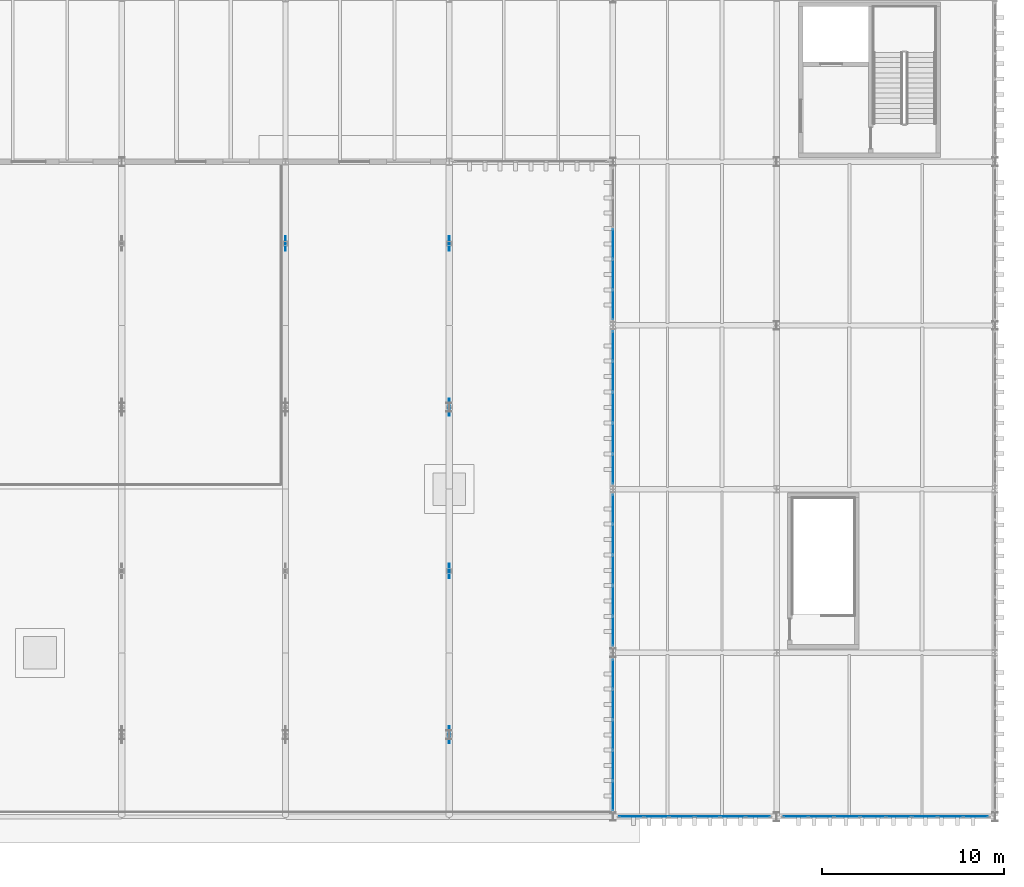
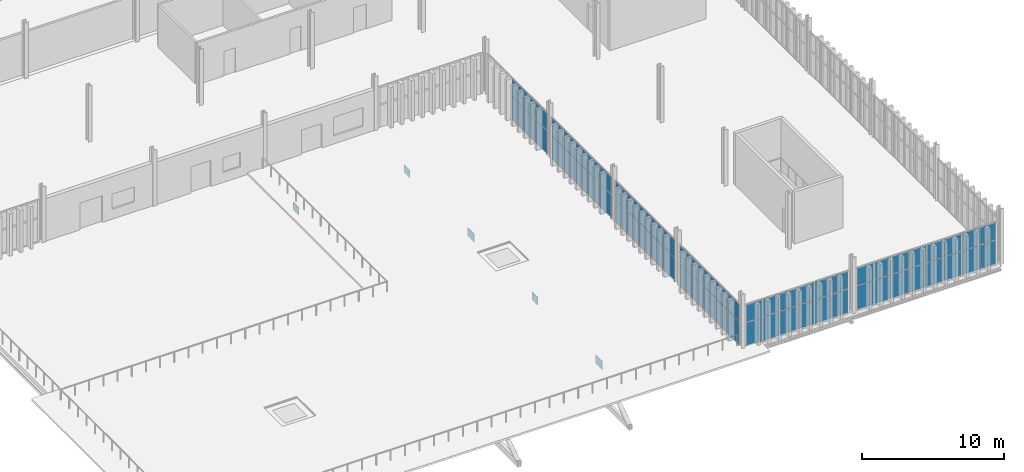
# One storey, part 165 of 196: 69 plates, 6 elements without a shape of their own.
"""IFC4 building model written with IfcOpenShell, lengths in metres."""

import ifcopenshell
import ifcopenshell.guid

model = None  # the IFC model being written
_history = None  # IfcOwnerHistory: only IFC2X3 demands one
_inside = {}  # id of a spatial element -> (the spatial element, [elements in it])
_under = {}  # id of a project, library or spatial element -> (it, [spatial elements below it])
_declared = {}  # id of a project -> (the project, [libraries it declares])
_typed = {}  # id of a type object -> (the type object, [elements of that type])
_made_of = {}  # id of a material, layer set ... -> (it, [elements and type objects made of it])


def new_model(schema):
    """Start an empty IFC model of exactly this schema.

    Asked for "IFC4X3", IfcOpenShell would pick the latest addendum, in which some entities
    have other attributes; the version numbers below select the first issue.
    IFC2X3 requires an IfcOwnerHistory on every rooted entity: one is made here for all.
    """
    global model, _history
    if schema == "IFC4X3":
        model = ifcopenshell.file(schema_version=(4, 3, 0, 0))
    else:
        model = ifcopenshell.file(schema=schema)
    _inside.clear()
    _under.clear()
    _declared.clear()
    _typed.clear()
    _made_of.clear()
    _history = None
    if model.schema == "IFC2X3":
        org = make("IfcOrganization", Name="unknown")
        user = make(
            "IfcPersonAndOrganization",
            ThePerson=make("IfcPerson", FamilyName="unknown"),
            TheOrganization=org,
        )
        app = make(
            "IfcApplication",
            ApplicationDeveloper=org,
            Version="unknown",
            ApplicationFullName="unknown",
            ApplicationIdentifier="unknown",
        )
        _history = make(
            "IfcOwnerHistory",
            OwningUser=user,
            OwningApplication=app,
            ChangeAction="ADDED",
            CreationDate=0,
        )
    return model


def make(cls, **values):
    """One entity of the class cls with the attributes given. An attribute that is None is left unset."""
    return model.create_entity(
        cls, **{name: value for name, value in values.items() if value is not None}
    )


def rooted(cls, **values):
    """An entity with a GlobalId (a new one), such as an element, a storey or a relation."""
    return make(cls, GlobalId=ifcopenshell.guid.new(), OwnerHistory=_history, **values)


def si_unit(unit_type, name, prefix=None):
    """IfcSIUnit, for example si_unit("LENGTHUNIT", "METRE", prefix="MILLI")."""
    return make("IfcSIUnit", UnitType=unit_type, Prefix=prefix, Name=name)


def assignment(units):
    """IfcUnitAssignment: the units of a project."""
    return None if units is None else make("IfcUnitAssignment", Units=units)


def point(xyz):
    """IfcCartesianPoint."""
    return None if xyz is None else make("IfcCartesianPoint", Coordinates=xyz)


def direction(xyz):
    """IfcDirection."""
    return None if xyz is None else make("IfcDirection", DirectionRatios=xyz)


def frame(location, z_axis=None, x_axis=None):
    """IfcAxis2Placement3D, a coordinate frame: its origin and axes. An axis left out is left unset."""
    return make(
        "IfcAxis2Placement3D",
        Location=point(location),
        Axis=direction(z_axis),
        RefDirection=direction(x_axis),
    )


def frame_2d(location, x_axis=None):
    """IfcAxis2Placement2D, a coordinate frame in the plane: its origin and x axis."""
    return make(
        "IfcAxis2Placement2D", Location=point(location), RefDirection=direction(x_axis)
    )


def origin():
    """The frame at (0, 0, 0) with its axes left unset."""
    return frame((0.0, 0.0, 0.0))


def origin_2d():
    """The frame at (0, 0) in the plane with its x axis left unset."""
    return frame_2d((0.0, 0.0))


def place(relative_to, where):
    """IfcLocalPlacement: puts the frame where relative to a parent placement (None: the world)."""
    return make(
        "IfcLocalPlacement", PlacementRelTo=relative_to, RelativePlacement=where
    )


def context(
    kind, dimensions, precision=None, world=None, true_north=None, identifier=None
):
    """IfcGeometricRepresentationContext, for example the 3D "Model" context."""
    return make(
        "IfcGeometricRepresentationContext",
        ContextIdentifier=identifier,
        ContextType=kind,
        CoordinateSpaceDimension=dimensions,
        Precision=precision,
        WorldCoordinateSystem=world,
        TrueNorth=true_north,
    )


def subcontext(parent, identifier, kind, view, scale=None):
    """IfcGeometricRepresentationSubContext, for example "Body" below "Model"."""
    return make(
        "IfcGeometricRepresentationSubContext",
        ContextIdentifier=identifier,
        ContextType=kind,
        ParentContext=parent,
        TargetScale=scale,
        TargetView=view,
    )


def project(units=None, contexts=None):
    """IfcProject with its units and contexts."""
    return rooted(
        "IfcProject",
        Name="project",
        RepresentationContexts=contexts,
        UnitsInContext=assignment(units),
    )


def spatial(cls, under=None, at=None, **own):
    """A site, building, storey or space (cls), placed at a placement, below another one or the project."""
    s = rooted(cls, ObjectPlacement=at, **own)
    if under is not None:
        _under.setdefault(under.id(), (under, []))[1].append(s)
    return s


def profile(cls, at=None, kind="AREA", **sizes):
    """A parametric profile (cls). Its sizes go by their IFC names, for example OverallWidth=200.0."""
    return make(cls, ProfileType=kind, Position=at, **sizes)


def rectangle(**sizes):
    """IfcRectangleProfileDef."""
    return profile("IfcRectangleProfileDef", **sizes)


def extrude(swept, where, along, depth):
    """IfcExtrudedAreaSolid: the profile swept, set in the frame where, extruded along a direction by depth."""
    return make(
        "IfcExtrudedAreaSolid",
        SweptArea=swept,
        Position=where,
        ExtrudedDirection=direction(along),
        Depth=depth,
    )


def shape(context_of_items, identifier, shape_type, items):
    """IfcShapeRepresentation: the items that make up one representation, for example the "Body"."""
    return make(
        "IfcShapeRepresentation",
        ContextOfItems=context_of_items,
        RepresentationIdentifier=identifier,
        RepresentationType=shape_type,
        Items=items,
    )


def material(Name=None, Category=None):
    """IfcMaterial."""
    return make("IfcMaterial", Name=Name, Category=Category)


def layer(
    of_material, thickness, ventilated=None, Name=None, Category=None, Priority=None
):
    """IfcMaterialLayer: one layer of a wall or slab, of a material (None: an air gap)."""
    return make(
        "IfcMaterialLayer",
        Material=of_material,
        LayerThickness=thickness,
        IsVentilated=ventilated,
        Name=Name,
        Category=Category,
        Priority=Priority,
    )


def layer_set(layers, Name=None):
    """IfcMaterialLayerSet."""
    return make("IfcMaterialLayerSet", MaterialLayers=layers, LayerSetName=Name)


def made_of(thing, what):
    """Note that an element or type object is made of a material, layer set ...; save() writes the relation."""
    if what is not None:
        _made_of.setdefault(what.id(), (what, []))[1].append(thing)
    return thing


def type_object(cls, material=None, **own):
    """A type object (cls), such as IfcWallType, which elements share."""
    return made_of(rooted(cls, **own), material)


def element(
    cls,
    number,
    at=None,
    inside=None,
    cuts=None,
    type_object=None,
    material=None,
    context=None,
    identifier="Body",
    shape_type=None,
    held_by="IfcProductDefinitionShape",
    body=None,
    shapes=None,
    **own,
):
    """One element of the class cls, such as IfcWall. Its Tag is "e" and its number.

    at: its placement. inside: the storey or other place that contains it. cuts: it is an
    opening in that element (IfcRelVoidsElement). A single representation is given by context,
    identifier, shape_type and body (its items); several are given by shapes. held_by: the class
    of the entity that holds the representations. save() writes the other relations.
    """
    e = rooted(cls, Tag="e%d" % number, ObjectPlacement=at, **own)
    if body is not None:
        shapes = [shape(context, identifier, shape_type, body)]
    if shapes is not None:
        e.Representation = make(held_by, Representations=shapes)
    if inside is not None:
        _inside.setdefault(inside.id(), (inside, []))[1].append(e)
    if cuts is not None:
        rooted(
            "IfcRelVoidsElement", RelatingBuildingElement=cuts, RelatedOpeningElement=e
        )
    if type_object is not None:
        _typed.setdefault(type_object.id(), (type_object, []))[1].append(e)
    return made_of(e, material)


def aggregate(whole, parts):
    """IfcRelAggregates: a whole, such as a stair, and the parts it consists of."""
    return rooted("IfcRelAggregates", RelatingObject=whole, RelatedObjects=parts)


def save(model, path):
    """Write the relations noted so far, then the file.

    IfcRelAggregates (storeys below a building ...), IfcRelContainedInSpatialStructure (elements
    in a storey), IfcRelDefinesByType, IfcRelAssociatesMaterial and IfcRelDeclares: one each for
    every whole, place, type object, material and project.
    """
    for whole, parts in _under.values():
        aggregate(whole, parts)
    for where, things in _inside.values():
        rooted(
            "IfcRelContainedInSpatialStructure",
            RelatedElements=things,
            RelatingStructure=where,
        )
    for kind, things in _typed.values():
        rooted("IfcRelDefinesByType", RelatedObjects=things, RelatingType=kind)
    for what, things in _made_of.values():
        rooted("IfcRelAssociatesMaterial", RelatedObjects=things, RelatingMaterial=what)
    for by, libraries in _declared.values():
        rooted("IfcRelDeclares", RelatingContext=by, RelatedDefinitions=libraries)
    model.write(path)


model = new_model("IFC4")

# Units and contexts
model_context = context("Model", 3, precision=1e-05, world=origin(), true_north=direction((0.0, 1.0)))
body_context = subcontext(model_context, "Body", "Model", "MODEL_VIEW")
ifc_project = project(units=[si_unit("LENGTHUNIT", "METRE"), si_unit("AREAUNIT", "SQUARE_METRE"), si_unit("VOLUMEUNIT", "CUBIC_METRE"), si_unit("PLANEANGLEUNIT", "RADIAN"), si_unit("MASSUNIT", "GRAM", prefix="KILO")], contexts=[model_context])

# Site, building, storey
site_placement = place(None, origin())
site = spatial("IfcSite", under=ifc_project, at=site_placement, CompositionType="ELEMENT")
building_placement = place(site_placement, origin())
building = spatial("IfcBuilding", under=site, at=building_placement, Name="Barlavento Convention Centre", CompositionType="ELEMENT")
storey_placement = place(building_placement, frame((0.0, 0.0, 18.0)))
storey = spatial("IfcBuildingStorey", under=building, at=storey_placement, Name="L03", CompositionType="ELEMENT", Elevation=18.0)

# Curtain wall, plates
ifc_material_1 = material(Name="Powder-coated aluminium and Low-E glass", Category="aluminium")
ifc_layer_1 = layer(ifc_material_1, 0.179931640625)
ifc_layer_set_1 = layer_set([ifc_layer_1], Name="ARC-CW-CONF-L03")
curtain_wall_type = type_object("IfcCurtainWallType", Name="ARC-CW-CONF-L03", PredefinedType="NOTDEFINED", material=ifc_layer_set_1)
curtain_wall_1_placement = place(storey_placement, origin())
curtain_wall_1 = element("IfcCurtainWall", 1, at=curtain_wall_1_placement, inside=storey, type_object=curtain_wall_type, Name="L03 unitised curtain wall CW08", PredefinedType="NOTDEFINED")
ifc_material_2 = material(Name="Double-silver Low-E insulated glass", Category="glass")
ifc_layer_2 = layer(ifc_material_2, 0.028076171875)
ifc_layer_set_2 = layer_set([ifc_layer_2], Name="ARC-CWP-GLZ28")
plate_type_1 = type_object("IfcPlateType", Name="ARC-CWP-GLZ28", PredefinedType="CURTAIN_PANEL", material=ifc_layer_set_2)
plate_1_placement = place(storey_placement, frame((172.0087890625, 0.0, 0.06005859375), z_axis=(0.0, 0.0, 1.0), x_axis=(1.0, 0.0, 0.0)))
plate_1 = element("IfcPlate", 2, at=plate_1_placement, type_object=plate_type_1, Name="CW08 panel 1.1", PredefinedType="CURTAIN_PANEL", context=body_context, shape_type="SweptSolid", body=[
    extrude(rectangle(XDim=1.3076171875, YDim=0.028076171875, at=origin_2d()), origin(), (0.0, 0.0, 1.0), 2.010009765625),
])
plate_2_placement = place(storey_placement, frame((172.0087890625, 0.0, 2.130126953125), z_axis=(0.0, 0.0, 1.0), x_axis=(1.0, 0.0, 0.0)))
plate_2 = element("IfcPlate", 3, at=plate_2_placement, type_object=plate_type_1, Name="CW08 panel 1.2", PredefinedType="CURTAIN_PANEL", context=body_context, shape_type="SweptSolid", body=[
    extrude(rectangle(XDim=1.3076171875, YDim=0.028076171875, at=origin_2d()), origin(), (0.0, 0.0, 1.0), 1.4599609375),
])
plate_3_placement = place(storey_placement, frame((173.391357421875, 0.0, 0.06005859375), z_axis=(0.0, 0.0, 1.0), x_axis=(1.0, 0.0, 0.0)))
plate_3 = element("IfcPlate", 4, at=plate_3_placement, type_object=plate_type_1, Name="CW08 panel 2.1", PredefinedType="CURTAIN_PANEL", context=body_context, shape_type="SweptSolid", body=[
    extrude(rectangle(XDim=1.33740234375, YDim=0.028076171875, at=origin_2d()), origin(), (0.0, 0.0, 1.0), 2.010009765625),
])
plate_4_placement = place(storey_placement, frame((173.391357421875, 0.0, 2.130126953125), z_axis=(0.0, 0.0, 1.0), x_axis=(1.0, 0.0, 0.0)))
plate_4 = element("IfcPlate", 5, at=plate_4_placement, type_object=plate_type_1, Name="CW08 panel 2.2", PredefinedType="CURTAIN_PANEL", context=body_context, shape_type="SweptSolid", body=[
    extrude(rectangle(XDim=1.33740234375, YDim=0.028076171875, at=origin_2d()), origin(), (0.0, 0.0, 1.0), 1.4599609375),
])
plate_5_placement = place(storey_placement, frame((174.788818359375, 0.0, 0.06005859375), z_axis=(0.0, 0.0, 1.0), x_axis=(1.0, 0.0, 0.0)))
plate_5 = element("IfcPlate", 6, at=plate_5_placement, type_object=plate_type_1, Name="CW08 panel 3.1", PredefinedType="CURTAIN_PANEL", context=body_context, shape_type="SweptSolid", body=[
    extrude(rectangle(XDim=1.33740234375, YDim=0.028076171875, at=origin_2d()), origin(), (0.0, 0.0, 1.0), 2.010009765625),
])
plate_6_placement = place(storey_placement, frame((174.788818359375, 0.0, 2.130126953125), z_axis=(0.0, 0.0, 1.0), x_axis=(1.0, 0.0, 0.0)))
plate_6 = element("IfcPlate", 7, at=plate_6_placement, type_object=plate_type_1, Name="CW08 panel 3.2", PredefinedType="CURTAIN_PANEL", context=body_context, shape_type="SweptSolid", body=[
    extrude(rectangle(XDim=1.33740234375, YDim=0.028076171875, at=origin_2d()), origin(), (0.0, 0.0, 1.0), 1.4599609375),
])
plate_7_placement = place(storey_placement, frame((176.186279296875, 0.0, 0.06005859375), z_axis=(0.0, 0.0, 1.0), x_axis=(1.0, 0.0, 0.0)))
plate_7 = element("IfcPlate", 8, at=plate_7_placement, type_object=plate_type_1, Name="CW08 panel 4.1", PredefinedType="CURTAIN_PANEL", context=body_context, shape_type="SweptSolid", body=[
    extrude(rectangle(XDim=1.33740234375, YDim=0.028076171875, at=origin_2d()), origin(), (0.0, 0.0, 1.0), 2.010009765625),
])
plate_8_placement = place(storey_placement, frame((176.186279296875, 0.0, 2.130126953125), z_axis=(0.0, 0.0, 1.0), x_axis=(1.0, 0.0, 0.0)))
plate_8 = element("IfcPlate", 9, at=plate_8_placement, type_object=plate_type_1, Name="CW08 panel 4.2", PredefinedType="CURTAIN_PANEL", context=body_context, shape_type="SweptSolid", body=[
    extrude(rectangle(XDim=1.33740234375, YDim=0.028076171875, at=origin_2d()), origin(), (0.0, 0.0, 1.0), 1.4599609375),
])
plate_9_placement = place(storey_placement, frame((177.583740234375, 0.0, 0.06005859375), z_axis=(0.0, 0.0, 1.0), x_axis=(1.0, 0.0, 0.0)))
plate_9 = element("IfcPlate", 10, at=plate_9_placement, type_object=plate_type_1, Name="CW08 panel 5.1", PredefinedType="CURTAIN_PANEL", context=body_context, shape_type="SweptSolid", body=[
    extrude(rectangle(XDim=1.33740234375, YDim=0.028076171875, at=origin_2d()), origin(), (0.0, 0.0, 1.0), 2.010009765625),
])
plate_10_placement = place(storey_placement, frame((177.583740234375, 0.0, 2.130126953125), z_axis=(0.0, 0.0, 1.0), x_axis=(1.0, 0.0, 0.0)))
plate_10 = element("IfcPlate", 11, at=plate_10_placement, type_object=plate_type_1, Name="CW08 panel 5.2", PredefinedType="CURTAIN_PANEL", context=body_context, shape_type="SweptSolid", body=[
    extrude(rectangle(XDim=1.33740234375, YDim=0.028076171875, at=origin_2d()), origin(), (0.0, 0.0, 1.0), 1.4599609375),
])
plate_11_placement = place(storey_placement, frame((178.96630859375, 0.0, 0.06005859375), z_axis=(0.0, 0.0, 1.0), x_axis=(1.0, 0.0, 0.0)))
plate_11 = element("IfcPlate", 12, at=plate_11_placement, type_object=plate_type_1, Name="CW08 panel 6.1", PredefinedType="CURTAIN_PANEL", context=body_context, shape_type="SweptSolid", body=[
    extrude(rectangle(XDim=1.3076171875, YDim=0.028076171875, at=origin_2d()), origin(), (0.0, 0.0, 1.0), 2.010009765625),
])
plate_12_placement = place(storey_placement, frame((178.96630859375, 0.0, 2.130126953125), z_axis=(0.0, 0.0, 1.0), x_axis=(1.0, 0.0, 0.0)))
plate_12 = element("IfcPlate", 13, at=plate_12_placement, type_object=plate_type_1, Name="CW08 panel 6.2", PredefinedType="CURTAIN_PANEL", context=body_context, shape_type="SweptSolid", body=[
    extrude(rectangle(XDim=1.3076171875, YDim=0.028076171875, at=origin_2d()), origin(), (0.0, 0.0, 1.0), 1.4599609375),
])
aggregate(curtain_wall_1, [plate_1, plate_2, plate_3, plate_4, plate_5, plate_6, plate_7, plate_8, plate_9, plate_10, plate_11, plate_12])

curtain_wall_2_placement = place(storey_placement, origin())
curtain_wall_2 = element("IfcCurtainWall", 14, at=curtain_wall_2_placement, inside=storey, type_object=curtain_wall_type, Name="L03 unitised curtain wall CW08", PredefinedType="NOTDEFINED")
plate_13_placement = place(storey_placement, frame((181.044921875, 0.0, 0.06005859375), z_axis=(0.0, 0.0, 1.0), x_axis=(1.0, 0.0, 0.0)))
plate_13 = element("IfcPlate", 15, at=plate_13_placement, type_object=plate_type_1, Name="CW08 panel 1.1", PredefinedType="CURTAIN_PANEL", context=body_context, shape_type="SweptSolid", body=[
    extrude(rectangle(XDim=1.330078125, YDim=0.028076171875, at=origin_2d()), origin(), (0.0, 0.0, 1.0), 2.010009765625),
])
plate_14_placement = place(storey_placement, frame((181.044921875, 0.0, 2.130126953125), z_axis=(0.0, 0.0, 1.0), x_axis=(1.0, 0.0, 0.0)))
plate_14 = element("IfcPlate", 16, at=plate_14_placement, type_object=plate_type_1, Name="CW08 panel 1.2", PredefinedType="CURTAIN_PANEL", context=body_context, shape_type="SweptSolid", body=[
    extrude(rectangle(XDim=1.330078125, YDim=0.028076171875, at=origin_2d()), origin(), (0.0, 0.0, 1.0), 1.4599609375),
])
plate_15_placement = place(storey_placement, frame((182.449951171875, 0.0, 0.06005859375), z_axis=(0.0, 0.0, 1.0), x_axis=(1.0, 0.0, 0.0)))
plate_15 = element("IfcPlate", 17, at=plate_15_placement, type_object=plate_type_1, Name="CW08 panel 2.1", PredefinedType="CURTAIN_PANEL", context=body_context, shape_type="SweptSolid", body=[
    extrude(rectangle(XDim=1.360107421875, YDim=0.028076171875, at=origin_2d()), origin(), (0.0, 0.0, 1.0), 2.010009765625),
])
plate_16_placement = place(storey_placement, frame((182.449951171875, 0.0, 2.130126953125), z_axis=(0.0, 0.0, 1.0), x_axis=(1.0, 0.0, 0.0)))
plate_16 = element("IfcPlate", 18, at=plate_16_placement, type_object=plate_type_1, Name="CW08 panel 2.2", PredefinedType="CURTAIN_PANEL", context=body_context, shape_type="SweptSolid", body=[
    extrude(rectangle(XDim=1.360107421875, YDim=0.028076171875, at=origin_2d()), origin(), (0.0, 0.0, 1.0), 1.4599609375),
])
plate_17_placement = place(storey_placement, frame((183.8701171875, 0.0, 0.06005859375), z_axis=(0.0, 0.0, 1.0), x_axis=(1.0, 0.0, 0.0)))
plate_17 = element("IfcPlate", 19, at=plate_17_placement, type_object=plate_type_1, Name="CW08 panel 3.1", PredefinedType="CURTAIN_PANEL", context=body_context, shape_type="SweptSolid", body=[
    extrude(rectangle(XDim=1.360107421875, YDim=0.028076171875, at=origin_2d()), origin(), (0.0, 0.0, 1.0), 2.010009765625),
])
plate_18_placement = place(storey_placement, frame((183.8701171875, 0.0, 2.130126953125), z_axis=(0.0, 0.0, 1.0), x_axis=(1.0, 0.0, 0.0)))
plate_18 = element("IfcPlate", 20, at=plate_18_placement, type_object=plate_type_1, Name="CW08 panel 3.2", PredefinedType="CURTAIN_PANEL", context=body_context, shape_type="SweptSolid", body=[
    extrude(rectangle(XDim=1.360107421875, YDim=0.028076171875, at=origin_2d()), origin(), (0.0, 0.0, 1.0), 1.4599609375),
])
plate_19_placement = place(storey_placement, frame((185.2900390625, 0.0, 0.06005859375), z_axis=(0.0, 0.0, 1.0), x_axis=(1.0, 0.0, 0.0)))
plate_19 = element("IfcPlate", 21, at=plate_19_placement, type_object=plate_type_1, Name="CW08 panel 4.1", PredefinedType="CURTAIN_PANEL", context=body_context, shape_type="SweptSolid", body=[
    extrude(rectangle(XDim=1.360107421875, YDim=0.028076171875, at=origin_2d()), origin(), (0.0, 0.0, 1.0), 2.010009765625),
])
plate_20_placement = place(storey_placement, frame((185.2900390625, 0.0, 2.130126953125), z_axis=(0.0, 0.0, 1.0), x_axis=(1.0, 0.0, 0.0)))
plate_20 = element("IfcPlate", 22, at=plate_20_placement, type_object=plate_type_1, Name="CW08 panel 4.2", PredefinedType="CURTAIN_PANEL", context=body_context, shape_type="SweptSolid", body=[
    extrude(rectangle(XDim=1.360107421875, YDim=0.028076171875, at=origin_2d()), origin(), (0.0, 0.0, 1.0), 1.4599609375),
])
plate_21_placement = place(storey_placement, frame((186.7099609375, 0.0, 0.06005859375), z_axis=(0.0, 0.0, 1.0), x_axis=(1.0, 0.0, 0.0)))
plate_21 = element("IfcPlate", 23, at=plate_21_placement, type_object=plate_type_1, Name="CW08 panel 5.1", PredefinedType="CURTAIN_PANEL", context=body_context, shape_type="SweptSolid", body=[
    extrude(rectangle(XDim=1.360107421875, YDim=0.028076171875, at=origin_2d()), origin(), (0.0, 0.0, 1.0), 2.010009765625),
])
plate_22_placement = place(storey_placement, frame((186.7099609375, 0.0, 2.130126953125), z_axis=(0.0, 0.0, 1.0), x_axis=(1.0, 0.0, 0.0)))
plate_22 = element("IfcPlate", 24, at=plate_22_placement, type_object=plate_type_1, Name="CW08 panel 5.2", PredefinedType="CURTAIN_PANEL", context=body_context, shape_type="SweptSolid", body=[
    extrude(rectangle(XDim=1.360107421875, YDim=0.028076171875, at=origin_2d()), origin(), (0.0, 0.0, 1.0), 1.4599609375),
])
plate_23_placement = place(storey_placement, frame((188.1298828125, 0.0, 0.06005859375), z_axis=(0.0, 0.0, 1.0), x_axis=(1.0, 0.0, 0.0)))
plate_23 = element("IfcPlate", 25, at=plate_23_placement, type_object=plate_type_1, Name="CW08 panel 6.1", PredefinedType="CURTAIN_PANEL", context=body_context, shape_type="SweptSolid", body=[
    extrude(rectangle(XDim=1.360107421875, YDim=0.028076171875, at=origin_2d()), origin(), (0.0, 0.0, 1.0), 2.010009765625),
])
plate_24_placement = place(storey_placement, frame((188.1298828125, 0.0, 2.130126953125), z_axis=(0.0, 0.0, 1.0), x_axis=(1.0, 0.0, 0.0)))
plate_24 = element("IfcPlate", 26, at=plate_24_placement, type_object=plate_type_1, Name="CW08 panel 6.2", PredefinedType="CURTAIN_PANEL", context=body_context, shape_type="SweptSolid", body=[
    extrude(rectangle(XDim=1.360107421875, YDim=0.028076171875, at=origin_2d()), origin(), (0.0, 0.0, 1.0), 1.4599609375),
])
plate_25_placement = place(storey_placement, frame((189.550048828125, 0.0, 0.06005859375), z_axis=(0.0, 0.0, 1.0), x_axis=(1.0, 0.0, 0.0)))
plate_25 = element("IfcPlate", 27, at=plate_25_placement, type_object=plate_type_1, Name="CW08 panel 7.1", PredefinedType="CURTAIN_PANEL", context=body_context, shape_type="SweptSolid", body=[
    extrude(rectangle(XDim=1.360107421875, YDim=0.028076171875, at=origin_2d()), origin(), (0.0, 0.0, 1.0), 2.010009765625),
])
plate_26_placement = place(storey_placement, frame((189.550048828125, 0.0, 2.130126953125), z_axis=(0.0, 0.0, 1.0), x_axis=(1.0, 0.0, 0.0)))
plate_26 = element("IfcPlate", 28, at=plate_26_placement, type_object=plate_type_1, Name="CW08 panel 7.2", PredefinedType="CURTAIN_PANEL", context=body_context, shape_type="SweptSolid", body=[
    extrude(rectangle(XDim=1.360107421875, YDim=0.028076171875, at=origin_2d()), origin(), (0.0, 0.0, 1.0), 1.4599609375),
])
plate_27_placement = place(storey_placement, frame((190.955078125, 0.0, 0.06005859375), z_axis=(0.0, 0.0, 1.0), x_axis=(1.0, 0.0, 0.0)))
plate_27 = element("IfcPlate", 29, at=plate_27_placement, type_object=plate_type_1, Name="CW08 panel 8.1", PredefinedType="CURTAIN_PANEL", context=body_context, shape_type="SweptSolid", body=[
    extrude(rectangle(XDim=1.330078125, YDim=0.028076171875, at=origin_2d()), origin(), (0.0, 0.0, 1.0), 2.010009765625),
])
plate_28_placement = place(storey_placement, frame((190.955078125, 0.0, 2.130126953125), z_axis=(0.0, 0.0, 1.0), x_axis=(1.0, 0.0, 0.0)))
plate_28 = element("IfcPlate", 30, at=plate_28_placement, type_object=plate_type_1, Name="CW08 panel 8.2", PredefinedType="CURTAIN_PANEL", context=body_context, shape_type="SweptSolid", body=[
    extrude(rectangle(XDim=1.330078125, YDim=0.028076171875, at=origin_2d()), origin(), (0.0, 0.0, 1.0), 1.4599609375),
])
aggregate(curtain_wall_2, [plate_13, plate_14, plate_15, plate_16, plate_17, plate_18, plate_19, plate_20, plate_21, plate_22, plate_23, plate_24, plate_25, plate_26, plate_27, plate_28])

curtain_wall_3_placement = place(storey_placement, origin())
curtain_wall_3 = element("IfcCurtainWall", 31, at=curtain_wall_3_placement, inside=storey, type_object=curtain_wall_type, Name="L03 unitised curtain wall CW08", PredefinedType="NOTDEFINED")
plate_29_placement = place(storey_placement, frame((171.0, 1.1484375, 0.06005859375), z_axis=(0.0, 0.0, 1.0), x_axis=(0.0, 1.0, 0.0)))
plate_29 = element("IfcPlate", 32, at=plate_29_placement, type_object=plate_type_1, Name="CW08 panel 1.1", PredefinedType="CURTAIN_PANEL", context=body_context, shape_type="SweptSolid", body=[
    extrude(rectangle(XDim=1.5869140625, YDim=0.028076171875, at=origin_2d()), origin(), (0.0, 0.0, 1.0), 2.010009765625),
])
plate_30_placement = place(storey_placement, frame((171.0, 1.1484375, 2.130126953125), z_axis=(0.0, 0.0, 1.0), x_axis=(0.0, 1.0, 0.0)))
plate_30 = element("IfcPlate", 33, at=plate_30_placement, type_object=plate_type_1, Name="CW08 panel 1.2", PredefinedType="CURTAIN_PANEL", context=body_context, shape_type="SweptSolid", body=[
    extrude(rectangle(XDim=1.5869140625, YDim=0.028076171875, at=origin_2d()), origin(), (0.0, 0.0, 1.0), 1.4599609375),
])
plate_31_placement = place(storey_placement, frame((171.0, 2.810546875, 0.06005859375), z_axis=(0.0, 0.0, 1.0), x_axis=(0.0, 1.0, 0.0)))
plate_31 = element("IfcPlate", 34, at=plate_31_placement, type_object=plate_type_1, Name="CW08 panel 2.1", PredefinedType="CURTAIN_PANEL", context=body_context, shape_type="SweptSolid", body=[
    extrude(rectangle(XDim=1.616943359375, YDim=0.028076171875, at=origin_2d()), origin(), (0.0, 0.0, 1.0), 2.010009765625),
])
plate_32_placement = place(storey_placement, frame((171.0, 2.810546875, 2.130126953125), z_axis=(0.0, 0.0, 1.0), x_axis=(0.0, 1.0, 0.0)))
plate_32 = element("IfcPlate", 35, at=plate_32_placement, type_object=plate_type_1, Name="CW08 panel 2.2", PredefinedType="CURTAIN_PANEL", context=body_context, shape_type="SweptSolid", body=[
    extrude(rectangle(XDim=1.616943359375, YDim=0.028076171875, at=origin_2d()), origin(), (0.0, 0.0, 1.0), 1.4599609375),
])
plate_33_placement = place(storey_placement, frame((171.0, 4.487548828125, 0.06005859375), z_axis=(0.0, 0.0, 1.0), x_axis=(0.0, 1.0, 0.0)))
plate_33 = element("IfcPlate", 36, at=plate_33_placement, type_object=plate_type_1, Name="CW08 panel 3.1", PredefinedType="CURTAIN_PANEL", context=body_context, shape_type="SweptSolid", body=[
    extrude(rectangle(XDim=1.616943359375, YDim=0.028076171875, at=origin_2d()), origin(), (0.0, 0.0, 1.0), 2.010009765625),
])
plate_34_placement = place(storey_placement, frame((171.0, 4.487548828125, 2.130126953125), z_axis=(0.0, 0.0, 1.0), x_axis=(0.0, 1.0, 0.0)))
plate_34 = element("IfcPlate", 37, at=plate_34_placement, type_object=plate_type_1, Name="CW08 panel 3.2", PredefinedType="CURTAIN_PANEL", context=body_context, shape_type="SweptSolid", body=[
    extrude(rectangle(XDim=1.616943359375, YDim=0.028076171875, at=origin_2d()), origin(), (0.0, 0.0, 1.0), 1.4599609375),
])
plate_35_placement = place(storey_placement, frame((171.0, 6.16455078125, 0.06005859375), z_axis=(0.0, 0.0, 1.0), x_axis=(0.0, 1.0, 0.0)))
plate_35 = element("IfcPlate", 38, at=plate_35_placement, type_object=plate_type_1, Name="CW08 panel 4.1", PredefinedType="CURTAIN_PANEL", context=body_context, shape_type="SweptSolid", body=[
    extrude(rectangle(XDim=1.616943359375, YDim=0.028076171875, at=origin_2d()), origin(), (0.0, 0.0, 1.0), 2.010009765625),
])
plate_36_placement = place(storey_placement, frame((171.0, 6.16455078125, 2.130126953125), z_axis=(0.0, 0.0, 1.0), x_axis=(0.0, 1.0, 0.0)))
plate_36 = element("IfcPlate", 39, at=plate_36_placement, type_object=plate_type_1, Name="CW08 panel 4.2", PredefinedType="CURTAIN_PANEL", context=body_context, shape_type="SweptSolid", body=[
    extrude(rectangle(XDim=1.616943359375, YDim=0.028076171875, at=origin_2d()), origin(), (0.0, 0.0, 1.0), 1.4599609375),
])
plate_37_placement = place(storey_placement, frame((171.0, 7.826416015625, 0.06005859375), z_axis=(0.0, 0.0, 1.0), x_axis=(0.0, 1.0, 0.0)))
plate_37 = element("IfcPlate", 40, at=plate_37_placement, type_object=plate_type_1, Name="CW08 panel 5.1", PredefinedType="CURTAIN_PANEL", context=body_context, shape_type="SweptSolid", body=[
    extrude(rectangle(XDim=1.5869140625, YDim=0.028076171875, at=origin_2d()), origin(), (0.0, 0.0, 1.0), 2.010009765625),
])
plate_38_placement = place(storey_placement, frame((171.0, 7.826416015625, 2.130126953125), z_axis=(0.0, 0.0, 1.0), x_axis=(0.0, 1.0, 0.0)))
plate_38 = element("IfcPlate", 41, at=plate_38_placement, type_object=plate_type_1, Name="CW08 panel 5.2", PredefinedType="CURTAIN_PANEL", context=body_context, shape_type="SweptSolid", body=[
    extrude(rectangle(XDim=1.5869140625, YDim=0.028076171875, at=origin_2d()), origin(), (0.0, 0.0, 1.0), 1.4599609375),
])
aggregate(curtain_wall_3, [plate_29, plate_30, plate_31, plate_32, plate_33, plate_34, plate_35, plate_36, plate_37, plate_38])

curtain_wall_4_placement = place(storey_placement, origin())
curtain_wall_4 = element("IfcCurtainWall", 42, at=curtain_wall_4_placement, inside=storey, type_object=curtain_wall_type, Name="L03 unitised curtain wall CW08", PredefinedType="NOTDEFINED")
plate_39_placement = place(storey_placement, frame((171.0, 10.178955078125, 0.06005859375), z_axis=(0.0, 0.0, 1.0), x_axis=(0.0, 1.0, 0.0)))
plate_39 = element("IfcPlate", 43, at=plate_39_placement, type_object=plate_type_1, Name="CW08 panel 1.1", PredefinedType="CURTAIN_PANEL", context=body_context, shape_type="SweptSolid", body=[
    extrude(rectangle(XDim=1.597900390625, YDim=0.028076171875, at=origin_2d()), origin(), (0.0, 0.0, 1.0), 2.010009765625),
])
plate_40_placement = place(storey_placement, frame((171.0, 10.178955078125, 2.130126953125), z_axis=(0.0, 0.0, 1.0), x_axis=(0.0, 1.0, 0.0)))
plate_40 = element("IfcPlate", 44, at=plate_40_placement, type_object=plate_type_1, Name="CW08 panel 1.2", PredefinedType="CURTAIN_PANEL", context=body_context, shape_type="SweptSolid", body=[
    extrude(rectangle(XDim=1.597900390625, YDim=0.028076171875, at=origin_2d()), origin(), (0.0, 0.0, 1.0), 1.4599609375),
])
plate_41_placement = place(storey_placement, frame((171.0, 11.85205078125, 0.06005859375), z_axis=(0.0, 0.0, 1.0), x_axis=(0.0, 1.0, 0.0)))
plate_41 = element("IfcPlate", 45, at=plate_41_placement, type_object=plate_type_1, Name="CW08 panel 2.1", PredefinedType="CURTAIN_PANEL", context=body_context, shape_type="SweptSolid", body=[
    extrude(rectangle(XDim=1.6279296875, YDim=0.028076171875, at=origin_2d()), origin(), (0.0, 0.0, 1.0), 2.010009765625),
])
plate_42_placement = place(storey_placement, frame((171.0, 11.85205078125, 2.130126953125), z_axis=(0.0, 0.0, 1.0), x_axis=(0.0, 1.0, 0.0)))
plate_42 = element("IfcPlate", 46, at=plate_42_placement, type_object=plate_type_1, Name="CW08 panel 2.2", PredefinedType="CURTAIN_PANEL", context=body_context, shape_type="SweptSolid", body=[
    extrude(rectangle(XDim=1.6279296875, YDim=0.028076171875, at=origin_2d()), origin(), (0.0, 0.0, 1.0), 1.4599609375),
])
plate_43_placement = place(storey_placement, frame((171.0, 13.5400390625, 0.06005859375), z_axis=(0.0, 0.0, 1.0), x_axis=(0.0, 1.0, 0.0)))
plate_43 = element("IfcPlate", 47, at=plate_43_placement, type_object=plate_type_1, Name="CW08 panel 3.1", PredefinedType="CURTAIN_PANEL", context=body_context, shape_type="SweptSolid", body=[
    extrude(rectangle(XDim=1.6279296875, YDim=0.028076171875, at=origin_2d()), origin(), (0.0, 0.0, 1.0), 2.010009765625),
])
plate_44_placement = place(storey_placement, frame((171.0, 13.5400390625, 2.130126953125), z_axis=(0.0, 0.0, 1.0), x_axis=(0.0, 1.0, 0.0)))
plate_44 = element("IfcPlate", 48, at=plate_44_placement, type_object=plate_type_1, Name="CW08 panel 3.2", PredefinedType="CURTAIN_PANEL", context=body_context, shape_type="SweptSolid", body=[
    extrude(rectangle(XDim=1.6279296875, YDim=0.028076171875, at=origin_2d()), origin(), (0.0, 0.0, 1.0), 1.4599609375),
])
plate_45_placement = place(storey_placement, frame((171.0, 15.22802734375, 0.06005859375), z_axis=(0.0, 0.0, 1.0), x_axis=(0.0, 1.0, 0.0)))
plate_45 = element("IfcPlate", 49, at=plate_45_placement, type_object=plate_type_1, Name="CW08 panel 4.1", PredefinedType="CURTAIN_PANEL", context=body_context, shape_type="SweptSolid", body=[
    extrude(rectangle(XDim=1.6279296875, YDim=0.028076171875, at=origin_2d()), origin(), (0.0, 0.0, 1.0), 2.010009765625),
])
plate_46_placement = place(storey_placement, frame((171.0, 15.22802734375, 2.130126953125), z_axis=(0.0, 0.0, 1.0), x_axis=(0.0, 1.0, 0.0)))
plate_46 = element("IfcPlate", 50, at=plate_46_placement, type_object=plate_type_1, Name="CW08 panel 4.2", PredefinedType="CURTAIN_PANEL", context=body_context, shape_type="SweptSolid", body=[
    extrude(rectangle(XDim=1.6279296875, YDim=0.028076171875, at=origin_2d()), origin(), (0.0, 0.0, 1.0), 1.4599609375),
])
plate_47_placement = place(storey_placement, frame((171.0, 16.90087890625, 0.06005859375), z_axis=(0.0, 0.0, 1.0), x_axis=(0.0, 1.0, 0.0)))
plate_47 = element("IfcPlate", 51, at=plate_47_placement, type_object=plate_type_1, Name="CW08 panel 5.1", PredefinedType="CURTAIN_PANEL", context=body_context, shape_type="SweptSolid", body=[
    extrude(rectangle(XDim=1.597900390625, YDim=0.028076171875, at=origin_2d()), origin(), (0.0, 0.0, 1.0), 2.010009765625),
])
plate_48_placement = place(storey_placement, frame((171.0, 16.90087890625, 2.130126953125), z_axis=(0.0, 0.0, 1.0), x_axis=(0.0, 1.0, 0.0)))
plate_48 = element("IfcPlate", 52, at=plate_48_placement, type_object=plate_type_1, Name="CW08 panel 5.2", PredefinedType="CURTAIN_PANEL", context=body_context, shape_type="SweptSolid", body=[
    extrude(rectangle(XDim=1.597900390625, YDim=0.028076171875, at=origin_2d()), origin(), (0.0, 0.0, 1.0), 1.4599609375),
])
aggregate(curtain_wall_4, [plate_39, plate_40, plate_41, plate_42, plate_43, plate_44, plate_45, plate_46, plate_47, plate_48])

curtain_wall_5_placement = place(storey_placement, origin())
curtain_wall_5 = element("IfcCurtainWall", 53, at=curtain_wall_5_placement, inside=storey, type_object=curtain_wall_type, Name="L03 unitised curtain wall CW08", PredefinedType="NOTDEFINED")
plate_49_placement = place(storey_placement, frame((171.0, 19.10400390625, 0.06005859375), z_axis=(0.0, 0.0, 1.0), x_axis=(0.0, 1.0, 0.0)))
plate_49 = element("IfcPlate", 54, at=plate_49_placement, type_object=plate_type_1, Name="CW08 panel 1.1", PredefinedType="CURTAIN_PANEL", context=body_context, shape_type="SweptSolid", body=[
    extrude(rectangle(XDim=1.60791015625, YDim=0.028076171875, at=origin_2d()), origin(), (0.0, 0.0, 1.0), 2.010009765625),
])
plate_50_placement = place(storey_placement, frame((171.0, 19.10400390625, 2.130126953125), z_axis=(0.0, 0.0, 1.0), x_axis=(0.0, 1.0, 0.0)))
plate_50 = element("IfcPlate", 55, at=plate_50_placement, type_object=plate_type_1, Name="CW08 panel 1.2", PredefinedType="CURTAIN_PANEL", context=body_context, shape_type="SweptSolid", body=[
    extrude(rectangle(XDim=1.60791015625, YDim=0.028076171875, at=origin_2d()), origin(), (0.0, 0.0, 1.0), 1.4599609375),
])
plate_51_placement = place(storey_placement, frame((171.0, 20.787109375, 0.06005859375), z_axis=(0.0, 0.0, 1.0), x_axis=(0.0, 1.0, 0.0)))
plate_51 = element("IfcPlate", 56, at=plate_51_placement, type_object=plate_type_1, Name="CW08 panel 2.1", PredefinedType="CURTAIN_PANEL", context=body_context, shape_type="SweptSolid", body=[
    extrude(rectangle(XDim=1.637939453125, YDim=0.028076171875, at=origin_2d()), origin(), (0.0, 0.0, 1.0), 2.010009765625),
])
plate_52_placement = place(storey_placement, frame((171.0, 20.787109375, 2.130126953125), z_axis=(0.0, 0.0, 1.0), x_axis=(0.0, 1.0, 0.0)))
plate_52 = element("IfcPlate", 57, at=plate_52_placement, type_object=plate_type_1, Name="CW08 panel 2.2", PredefinedType="CURTAIN_PANEL", context=body_context, shape_type="SweptSolid", body=[
    extrude(rectangle(XDim=1.637939453125, YDim=0.028076171875, at=origin_2d()), origin(), (0.0, 0.0, 1.0), 1.4599609375),
])
plate_53_placement = place(storey_placement, frame((171.0, 22.485107421875, 0.06005859375), z_axis=(0.0, 0.0, 1.0), x_axis=(0.0, 1.0, 0.0)))
plate_53 = element("IfcPlate", 58, at=plate_53_placement, type_object=plate_type_1, Name="CW08 panel 3.1", PredefinedType="CURTAIN_PANEL", context=body_context, shape_type="SweptSolid", body=[
    extrude(rectangle(XDim=1.637939453125, YDim=0.028076171875, at=origin_2d()), origin(), (0.0, 0.0, 1.0), 2.010009765625),
])
plate_54_placement = place(storey_placement, frame((171.0, 22.485107421875, 2.130126953125), z_axis=(0.0, 0.0, 1.0), x_axis=(0.0, 1.0, 0.0)))
plate_54 = element("IfcPlate", 59, at=plate_54_placement, type_object=plate_type_1, Name="CW08 panel 3.2", PredefinedType="CURTAIN_PANEL", context=body_context, shape_type="SweptSolid", body=[
    extrude(rectangle(XDim=1.637939453125, YDim=0.028076171875, at=origin_2d()), origin(), (0.0, 0.0, 1.0), 1.4599609375),
])
plate_55_placement = place(storey_placement, frame((171.0, 24.18310546875, 0.06005859375), z_axis=(0.0, 0.0, 1.0), x_axis=(0.0, 1.0, 0.0)))
plate_55 = element("IfcPlate", 60, at=plate_55_placement, type_object=plate_type_1, Name="CW08 panel 4.1", PredefinedType="CURTAIN_PANEL", context=body_context, shape_type="SweptSolid", body=[
    extrude(rectangle(XDim=1.637939453125, YDim=0.028076171875, at=origin_2d()), origin(), (0.0, 0.0, 1.0), 2.010009765625),
])
plate_56_placement = place(storey_placement, frame((171.0, 24.18310546875, 2.130126953125), z_axis=(0.0, 0.0, 1.0), x_axis=(0.0, 1.0, 0.0)))
plate_56 = element("IfcPlate", 61, at=plate_56_placement, type_object=plate_type_1, Name="CW08 panel 4.2", PredefinedType="CURTAIN_PANEL", context=body_context, shape_type="SweptSolid", body=[
    extrude(rectangle(XDim=1.637939453125, YDim=0.028076171875, at=origin_2d()), origin(), (0.0, 0.0, 1.0), 1.4599609375),
])
plate_57_placement = place(storey_placement, frame((171.0, 25.865966796875, 0.06005859375), z_axis=(0.0, 0.0, 1.0), x_axis=(0.0, 1.0, 0.0)))
plate_57 = element("IfcPlate", 62, at=plate_57_placement, type_object=plate_type_1, Name="CW08 panel 5.1", PredefinedType="CURTAIN_PANEL", context=body_context, shape_type="SweptSolid", body=[
    extrude(rectangle(XDim=1.60791015625, YDim=0.028076171875, at=origin_2d()), origin(), (0.0, 0.0, 1.0), 2.010009765625),
])
plate_58_placement = place(storey_placement, frame((171.0, 25.865966796875, 2.130126953125), z_axis=(0.0, 0.0, 1.0), x_axis=(0.0, 1.0, 0.0)))
plate_58 = element("IfcPlate", 63, at=plate_58_placement, type_object=plate_type_1, Name="CW08 panel 5.2", PredefinedType="CURTAIN_PANEL", context=body_context, shape_type="SweptSolid", body=[
    extrude(rectangle(XDim=1.60791015625, YDim=0.028076171875, at=origin_2d()), origin(), (0.0, 0.0, 1.0), 1.4599609375),
])
aggregate(curtain_wall_5, [plate_49, plate_50, plate_51, plate_52, plate_53, plate_54, plate_55, plate_56, plate_57, plate_58])

curtain_wall_6_placement = place(storey_placement, origin())
curtain_wall_6 = element("IfcCurtainWall", 64, at=curtain_wall_6_placement, inside=storey, type_object=curtain_wall_type, Name="L03 unitised curtain wall CW08", PredefinedType="NOTDEFINED")
plate_59_placement = place(storey_placement, frame((171.0, 28.12841796875, 0.06005859375), z_axis=(0.0, 0.0, 1.0), x_axis=(0.0, 1.0, 0.0)))
plate_59 = element("IfcPlate", 65, at=plate_59_placement, type_object=plate_type_1, Name="CW08 panel 1.1", PredefinedType="CURTAIN_PANEL", context=body_context, shape_type="SweptSolid", body=[
    extrude(rectangle(XDim=1.596923828125, YDim=0.028076171875, at=origin_2d()), origin(), (0.0, 0.0, 1.0), 2.010009765625),
])
plate_60_placement = place(storey_placement, frame((171.0, 28.12841796875, 2.130126953125), z_axis=(0.0, 0.0, 1.0), x_axis=(0.0, 1.0, 0.0)))
plate_60 = element("IfcPlate", 66, at=plate_60_placement, type_object=plate_type_1, Name="CW08 panel 1.2", PredefinedType="CURTAIN_PANEL", context=body_context, shape_type="SweptSolid", body=[
    extrude(rectangle(XDim=1.596923828125, YDim=0.028076171875, at=origin_2d()), origin(), (0.0, 0.0, 1.0), 1.4599609375),
])
plate_61_placement = place(storey_placement, frame((171.0, 29.800537109375, 0.06005859375), z_axis=(0.0, 0.0, 1.0), x_axis=(0.0, 1.0, 0.0)))
plate_61 = element("IfcPlate", 67, at=plate_61_placement, type_object=plate_type_1, Name="CW08 panel 2.1", PredefinedType="CURTAIN_PANEL", context=body_context, shape_type="SweptSolid", body=[
    extrude(rectangle(XDim=1.626953125, YDim=0.028076171875, at=origin_2d()), origin(), (0.0, 0.0, 1.0), 2.010009765625),
])
plate_62_placement = place(storey_placement, frame((171.0, 29.800537109375, 2.130126953125), z_axis=(0.0, 0.0, 1.0), x_axis=(0.0, 1.0, 0.0)))
plate_62 = element("IfcPlate", 68, at=plate_62_placement, type_object=plate_type_1, Name="CW08 panel 2.2", PredefinedType="CURTAIN_PANEL", context=body_context, shape_type="SweptSolid", body=[
    extrude(rectangle(XDim=1.626953125, YDim=0.028076171875, at=origin_2d()), origin(), (0.0, 0.0, 1.0), 1.4599609375),
])
plate_63_placement = place(storey_placement, frame((171.0, 31.487548828125, 0.06005859375), z_axis=(0.0, 0.0, 1.0), x_axis=(0.0, 1.0, 0.0)))
plate_63 = element("IfcPlate", 69, at=plate_63_placement, type_object=plate_type_1, Name="CW08 panel 3.1", PredefinedType="CURTAIN_PANEL", context=body_context, shape_type="SweptSolid", body=[
    extrude(rectangle(XDim=1.626953125, YDim=0.028076171875, at=origin_2d()), origin(), (0.0, 0.0, 1.0), 2.010009765625),
])
plate_64_placement = place(storey_placement, frame((171.0, 31.487548828125, 2.130126953125), z_axis=(0.0, 0.0, 1.0), x_axis=(0.0, 1.0, 0.0)))
plate_64 = element("IfcPlate", 70, at=plate_64_placement, type_object=plate_type_1, Name="CW08 panel 3.2", PredefinedType="CURTAIN_PANEL", context=body_context, shape_type="SweptSolid", body=[
    extrude(rectangle(XDim=1.626953125, YDim=0.028076171875, at=origin_2d()), origin(), (0.0, 0.0, 1.0), 1.4599609375),
])
aggregate(curtain_wall_6, [plate_59, plate_60, plate_61, plate_62, plate_63, plate_64])

# Plates
ifc_material_3 = material(Name="Steel S460", Category="steel")
ifc_layer_3 = layer(ifc_material_3, 0.0419921875)
ifc_layer_set_3 = layer_set([ifc_layer_3], Name="STR-PLT-NODE-TN1")
plate_type_2 = type_object("IfcPlateType", Name="STR-PLT-NODE-TN1", PredefinedType="USERDEFINED", material=ifc_layer_set_3)
for number, where, z_axis, x_axis, name in (
    (71, (162.0, 4.5, -1.10791015625), (0.0, 0.0, 1.0), (1.0, 0.0, 0.0), "Transfer truss node gusset plate TN01"),
    (72, (162.0, 22.5, -1.10791015625), (0.0, 0.0, 1.0), (1.0, 0.0, 0.0), "Transfer truss node gusset plate TN01"),
):
    element("IfcPlate", number, at=place(storey_placement, frame(where, z_axis=z_axis, x_axis=x_axis)), inside=storey, type_object=plate_type_2, Name=name, ObjectType="GUSSET_PLATE", PredefinedType="USERDEFINED", context=body_context, shape_type="SweptSolid", body=[
        extrude(rectangle(XDim=0.0419921875, YDim=0.919921875, at=origin_2d()), origin(), (0.0, 0.0, 1.0), 0.719970703125),
    ])
ifc_layer_4 = layer(ifc_material_3, 0.0380859375)
ifc_layer_set_4 = layer_set([ifc_layer_4], Name="STR-PLT-NODE-TN2")
plate_type_3 = type_object("IfcPlateType", Name="STR-PLT-NODE-TN2", PredefinedType="USERDEFINED", material=ifc_layer_set_4)
for number, where, z_axis, x_axis, name in (
    (73, (153.0, 31.5, -1.1171875), (0.0, 0.0, 1.0), (1.0, 0.0, 0.0), "Transfer truss node gusset plate TN02"),
    (74, (162.0, 13.5, -1.06787109375), (0.0, 0.0, 1.0), (1.0, 0.0, 0.0), "Transfer truss node gusset plate TN02"),
    (75, (162.0, 31.5, -1.06787109375), (0.0, 0.0, 1.0), (1.0, 0.0, 0.0), "Transfer truss node gusset plate TN02"),
):
    element("IfcPlate", number, at=place(storey_placement, frame(where, z_axis=z_axis, x_axis=x_axis)), inside=storey, type_object=plate_type_3, Name=name, ObjectType="GUSSET_PLATE", PredefinedType="USERDEFINED", context=body_context, shape_type="SweptSolid", body=[
        extrude(rectangle(XDim=0.0380859375, YDim=0.800048828125, at=origin_2d()), origin(), (0.0, 0.0, 1.0), 0.639892578125),
    ])

save(model, "model.ifc")
